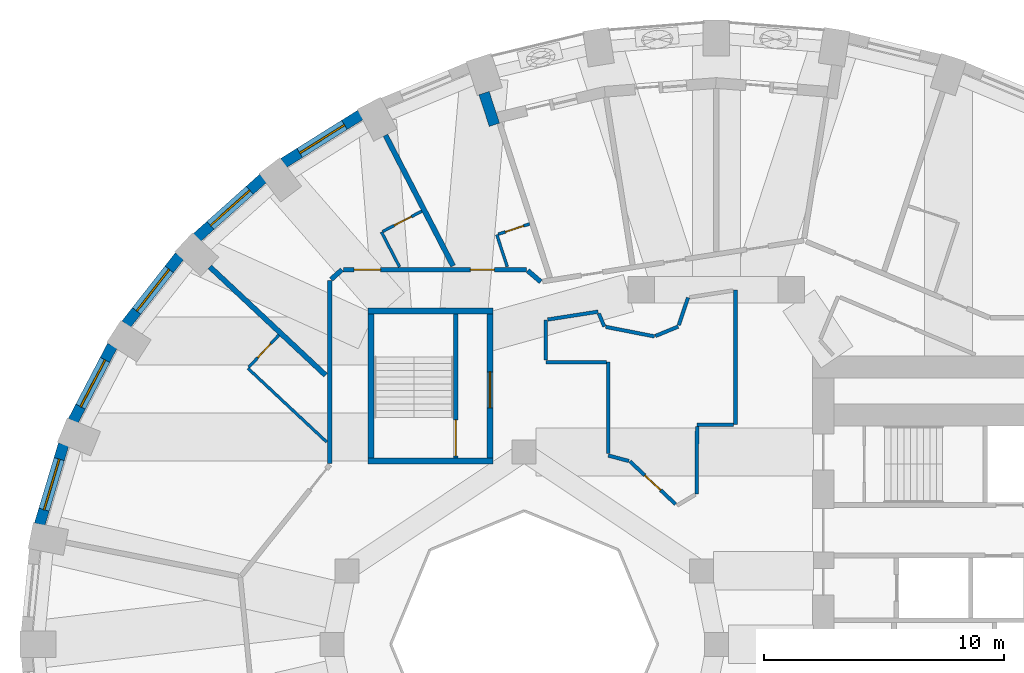
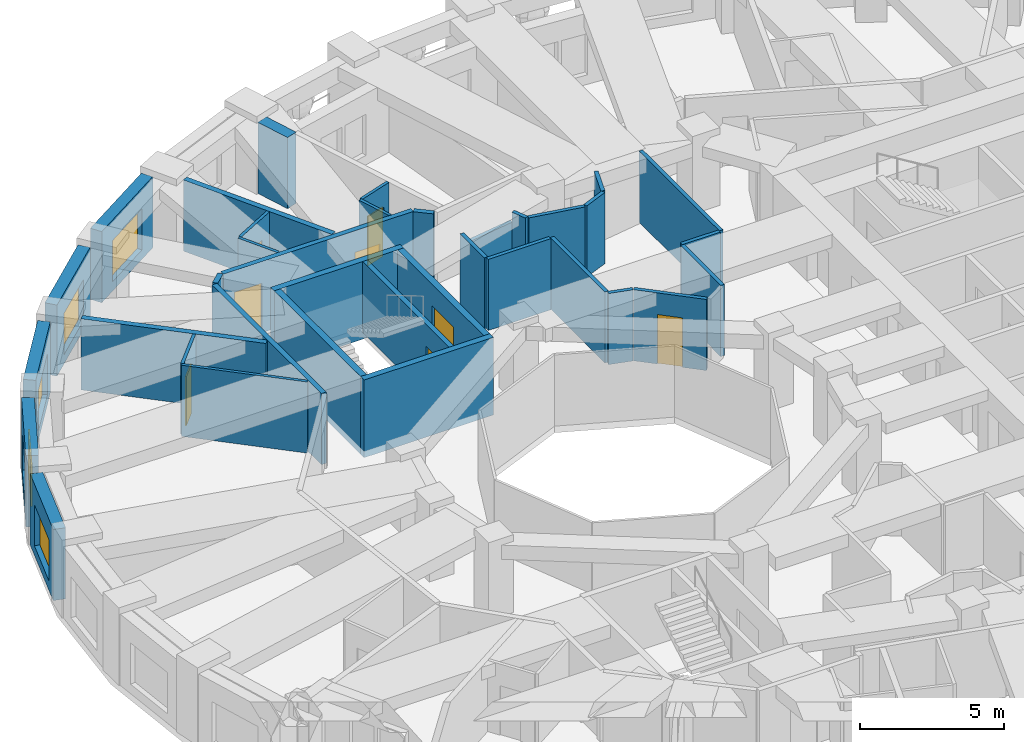
# One storey, part 7 of 13: 36 walls, 8 doors, 5 windows, 13 openings.
"""IFC4 building model written with IfcOpenShell, lengths in metres."""

import ifcopenshell
import ifcopenshell.guid

model = None  # the IFC model being written
_history = None  # IfcOwnerHistory: only IFC2X3 demands one
_inside = {}  # id of a spatial element -> (the spatial element, [elements in it])
_under = {}  # id of a project, library or spatial element -> (it, [spatial elements below it])
_declared = {}  # id of a project -> (the project, [libraries it declares])
_typed = {}  # id of a type object -> (the type object, [elements of that type])
_made_of = {}  # id of a material, layer set ... -> (it, [elements and type objects made of it])


def new_model(schema):
    """Start an empty IFC model of exactly this schema.

    Asked for "IFC4X3", IfcOpenShell would pick the latest addendum, in which some entities
    have other attributes; the version numbers below select the first issue.
    IFC2X3 requires an IfcOwnerHistory on every rooted entity: one is made here for all.
    """
    global model, _history
    if schema == "IFC4X3":
        model = ifcopenshell.file(schema_version=(4, 3, 0, 0))
    else:
        model = ifcopenshell.file(schema=schema)
    _inside.clear()
    _under.clear()
    _declared.clear()
    _typed.clear()
    _made_of.clear()
    _history = None
    if model.schema == "IFC2X3":
        org = make("IfcOrganization", Name="unknown")
        user = make(
            "IfcPersonAndOrganization",
            ThePerson=make("IfcPerson", FamilyName="unknown"),
            TheOrganization=org,
        )
        app = make(
            "IfcApplication",
            ApplicationDeveloper=org,
            Version="unknown",
            ApplicationFullName="unknown",
            ApplicationIdentifier="unknown",
        )
        _history = make(
            "IfcOwnerHistory",
            OwningUser=user,
            OwningApplication=app,
            ChangeAction="ADDED",
            CreationDate=0,
        )
    return model


def make(cls, **values):
    """One entity of the class cls with the attributes given. An attribute that is None is left unset."""
    return model.create_entity(
        cls, **{name: value for name, value in values.items() if value is not None}
    )


def rooted(cls, **values):
    """An entity with a GlobalId (a new one), such as an element, a storey or a relation."""
    return make(cls, GlobalId=ifcopenshell.guid.new(), OwnerHistory=_history, **values)


def si_unit(unit_type, name, prefix=None):
    """IfcSIUnit, for example si_unit("LENGTHUNIT", "METRE", prefix="MILLI")."""
    return make("IfcSIUnit", UnitType=unit_type, Prefix=prefix, Name=name)


def assignment(units):
    """IfcUnitAssignment: the units of a project."""
    return None if units is None else make("IfcUnitAssignment", Units=units)


def point(xyz):
    """IfcCartesianPoint."""
    return None if xyz is None else make("IfcCartesianPoint", Coordinates=xyz)


def direction(xyz):
    """IfcDirection."""
    return None if xyz is None else make("IfcDirection", DirectionRatios=xyz)


def frame(location, z_axis=None, x_axis=None):
    """IfcAxis2Placement3D, a coordinate frame: its origin and axes. An axis left out is left unset."""
    return make(
        "IfcAxis2Placement3D",
        Location=point(location),
        Axis=direction(z_axis),
        RefDirection=direction(x_axis),
    )


def frame_2d(location, x_axis=None):
    """IfcAxis2Placement2D, a coordinate frame in the plane: its origin and x axis."""
    return make(
        "IfcAxis2Placement2D", Location=point(location), RefDirection=direction(x_axis)
    )


def origin():
    """The frame at (0, 0, 0) with its axes left unset."""
    return frame((0.0, 0.0, 0.0))


def place(relative_to, where):
    """IfcLocalPlacement: puts the frame where relative to a parent placement (None: the world)."""
    return make(
        "IfcLocalPlacement", PlacementRelTo=relative_to, RelativePlacement=where
    )


def context(
    kind, dimensions, precision=None, world=None, true_north=None, identifier=None
):
    """IfcGeometricRepresentationContext, for example the 3D "Model" context."""
    return make(
        "IfcGeometricRepresentationContext",
        ContextIdentifier=identifier,
        ContextType=kind,
        CoordinateSpaceDimension=dimensions,
        Precision=precision,
        WorldCoordinateSystem=world,
        TrueNorth=true_north,
    )


def subcontext(parent, identifier, kind, view, scale=None):
    """IfcGeometricRepresentationSubContext, for example "Body" below "Model"."""
    return make(
        "IfcGeometricRepresentationSubContext",
        ContextIdentifier=identifier,
        ContextType=kind,
        ParentContext=parent,
        TargetScale=scale,
        TargetView=view,
    )


def project(units=None, contexts=None):
    """IfcProject with its units and contexts."""
    return rooted(
        "IfcProject",
        Name="project",
        RepresentationContexts=contexts,
        UnitsInContext=assignment(units),
    )


def spatial(cls, under=None, at=None, **own):
    """A site, building, storey or space (cls), placed at a placement, below another one or the project."""
    s = rooted(cls, ObjectPlacement=at, **own)
    if under is not None:
        _under.setdefault(under.id(), (under, []))[1].append(s)
    return s


def profile(cls, at=None, kind="AREA", **sizes):
    """A parametric profile (cls). Its sizes go by their IFC names, for example OverallWidth=200.0."""
    return make(cls, ProfileType=kind, Position=at, **sizes)


def rectangle(**sizes):
    """IfcRectangleProfileDef."""
    return profile("IfcRectangleProfileDef", **sizes)


def extrude(swept, where, along, depth):
    """IfcExtrudedAreaSolid: the profile swept, set in the frame where, extruded along a direction by depth."""
    return make(
        "IfcExtrudedAreaSolid",
        SweptArea=swept,
        Position=where,
        ExtrudedDirection=direction(along),
        Depth=depth,
    )


def shape(context_of_items, identifier, shape_type, items):
    """IfcShapeRepresentation: the items that make up one representation, for example the "Body"."""
    return make(
        "IfcShapeRepresentation",
        ContextOfItems=context_of_items,
        RepresentationIdentifier=identifier,
        RepresentationType=shape_type,
        Items=items,
    )


def material(Name=None, Category=None):
    """IfcMaterial."""
    return make("IfcMaterial", Name=Name, Category=Category)


def layer(
    of_material, thickness, ventilated=None, Name=None, Category=None, Priority=None
):
    """IfcMaterialLayer: one layer of a wall or slab, of a material (None: an air gap)."""
    return make(
        "IfcMaterialLayer",
        Material=of_material,
        LayerThickness=thickness,
        IsVentilated=ventilated,
        Name=Name,
        Category=Category,
        Priority=Priority,
    )


def layer_set(layers, Name=None):
    """IfcMaterialLayerSet."""
    return make("IfcMaterialLayerSet", MaterialLayers=layers, LayerSetName=Name)


def made_of(thing, what):
    """Note that an element or type object is made of a material, layer set ...; save() writes the relation."""
    if what is not None:
        _made_of.setdefault(what.id(), (what, []))[1].append(thing)
    return thing


def type_object(cls, material=None, **own):
    """A type object (cls), such as IfcWallType, which elements share."""
    return made_of(rooted(cls, **own), material)


def element(
    cls,
    number,
    at=None,
    inside=None,
    cuts=None,
    type_object=None,
    material=None,
    context=None,
    identifier="Body",
    shape_type=None,
    held_by="IfcProductDefinitionShape",
    body=None,
    shapes=None,
    **own,
):
    """One element of the class cls, such as IfcWall. Its Tag is "e" and its number.

    at: its placement. inside: the storey or other place that contains it. cuts: it is an
    opening in that element (IfcRelVoidsElement). A single representation is given by context,
    identifier, shape_type and body (its items); several are given by shapes. held_by: the class
    of the entity that holds the representations. save() writes the other relations.
    """
    e = rooted(cls, Tag="e%d" % number, ObjectPlacement=at, **own)
    if body is not None:
        shapes = [shape(context, identifier, shape_type, body)]
    if shapes is not None:
        e.Representation = make(held_by, Representations=shapes)
    if inside is not None:
        _inside.setdefault(inside.id(), (inside, []))[1].append(e)
    if cuts is not None:
        rooted(
            "IfcRelVoidsElement", RelatingBuildingElement=cuts, RelatedOpeningElement=e
        )
    if type_object is not None:
        _typed.setdefault(type_object.id(), (type_object, []))[1].append(e)
    return made_of(e, material)


def fill(opening, filler):
    """IfcRelFillsElement: the door or window that sits in an opening."""
    return rooted(
        "IfcRelFillsElement",
        RelatingOpeningElement=opening,
        RelatedBuildingElement=filler,
    )


def aggregate(whole, parts):
    """IfcRelAggregates: a whole, such as a stair, and the parts it consists of."""
    return rooted("IfcRelAggregates", RelatingObject=whole, RelatedObjects=parts)


def save(model, path):
    """Write the relations noted so far, then the file.

    IfcRelAggregates (storeys below a building ...), IfcRelContainedInSpatialStructure (elements
    in a storey), IfcRelDefinesByType, IfcRelAssociatesMaterial and IfcRelDeclares: one each for
    every whole, place, type object, material and project.
    """
    for whole, parts in _under.values():
        aggregate(whole, parts)
    for where, things in _inside.values():
        rooted(
            "IfcRelContainedInSpatialStructure",
            RelatedElements=things,
            RelatingStructure=where,
        )
    for kind, things in _typed.values():
        rooted("IfcRelDefinesByType", RelatedObjects=things, RelatingType=kind)
    for what, things in _made_of.values():
        rooted("IfcRelAssociatesMaterial", RelatedObjects=things, RelatingMaterial=what)
    for by, libraries in _declared.values():
        rooted("IfcRelDeclares", RelatingContext=by, RelatedDefinitions=libraries)
    model.write(path)


model = new_model("IFC4")

# Units and contexts
model_context = context("Model", 3, precision=1e-05, world=origin(), true_north=direction((0.0, 1.0)))
body_context = subcontext(model_context, "Body", "Model", "MODEL_VIEW")
ifc_project = project(units=[si_unit("LENGTHUNIT", "METRE"), si_unit("AREAUNIT", "SQUARE_METRE"), si_unit("VOLUMEUNIT", "CUBIC_METRE"), si_unit("PLANEANGLEUNIT", "RADIAN"), si_unit("MASSUNIT", "GRAM", prefix="KILO")], contexts=[model_context])

# Site, building, storey
site_placement = place(None, origin())
site = spatial("IfcSite", under=ifc_project, at=site_placement, CompositionType="ELEMENT")
building_placement = place(site_placement, origin())
building = spatial("IfcBuilding", under=site, at=building_placement, Name="Taillehof Tower", CompositionType="ELEMENT")
storey_placement = place(building_placement, frame((0.0, 0.0, 54.699951171875)))
storey = spatial("IfcBuildingStorey", under=building, at=storey_placement, Name="L14", CompositionType="ELEMENT", Elevation=54.699951171875)

# Wall, opening, window
ifc_material_1 = material(Name="Brick masonry", Category="masonry")
ifc_layer_1 = layer(ifc_material_1, 0.449951171875)
ifc_layer_set_1 = layer_set([ifc_layer_1], Name="Brick infill wall 450")
wall_type_1 = type_object("IfcWallType", Name="Brick infill wall 450", PredefinedType="SOLIDWALL", material=ifc_layer_set_1)
wall_1_placement = place(storey_placement, frame((-14.81689453125, 22.050537109375, 0.0), z_axis=(0.0, 0.0, 1.0), x_axis=(-0.847635480093, -0.530579016629, 0.0)))
wall_1 = element("IfcWall", 1, at=wall_1_placement, inside=storey, type_object=wall_type_1, Name="Brick wall L14 bay 13", PredefinedType="SOLIDWALL", context=body_context, shape_type="SweptSolid", body=[
    extrude(rectangle(XDim=3.782470703125, YDim=0.449951171875, at=frame_2d((1.89111328125, 0.0))), origin(), (0.0, 0.0, 1.0), 3.02001953125),
])
opening_1_placement = place(wall_1_placement, frame((0.791259765625, 0.0, 0.39990234375)))
opening_1 = element("IfcOpeningElement", 2, at=opening_1_placement, cuts=wall_1, Name="Opening W1", PredefinedType="OPENING", context=body_context, shape_type="SweptSolid", body=[
    extrude(rectangle(XDim=2.199951171875, YDim=1.75, at=frame_2d((1.10009765625, 0.875))), frame((0.0, 0.23486328125, 0.0), z_axis=(0.0, -1.0, 0.0), x_axis=(1.0, 0.0, 0.0)), (0.0, 0.0, 1.0), 0.469970703125),
])
ifc_material_2 = material(Name="Aluminium window frame with clear double glazing", Category="aluminium")
window_type = type_object("IfcWindowType", Name="Deep-set window 2200x1750", PartitioningType="SINGLE_PANEL", PredefinedType="WINDOW", material=ifc_material_2)
window_1_placement = place(opening_1_placement, origin())
window_1 = element("IfcWindow", 3, at=window_1_placement, inside=storey, type_object=window_type, Name="W1", OverallHeight=1.75, OverallWidth=2.199951171875, PartitioningType="SINGLE_PANEL", PredefinedType="WINDOW", context=body_context, shape_type="SweptSolid", body=[
    extrude(rectangle(XDim=2.199951171875, YDim=1.75, at=frame_2d((1.10009765625, 0.875))), frame((0.0, 0.034912109375, 0.0), z_axis=(0.0, -1.0, 0.0), x_axis=(1.0, 0.0, 0.0)), (0.0, 0.0, 1.0), 0.06005859375),
])
fill(opening_1, window_1)

wall_2_placement = place(storey_placement, frame((-18.87060546875, 19.406982421875, 0.0), z_axis=(0.0, 0.0, 1.0), x_axis=(-0.745526233716, -0.66647628228, 0.0)))
wall_2 = element("IfcWall", 4, at=wall_2_placement, inside=storey, type_object=wall_type_1, Name="Brick wall L14 bay 14", PredefinedType="SOLIDWALL", context=body_context, shape_type="SweptSolid", body=[
    extrude(rectangle(XDim=3.69677734375, YDim=0.449951171875, at=frame_2d((1.848388671875, 0.0))), origin(), (0.0, 0.0, 1.0), 3.02001953125),
])
opening_2_placement = place(wall_2_placement, frame((0.74853515625, 0.0, 0.39990234375)))
opening_2 = element("IfcOpeningElement", 5, at=opening_2_placement, cuts=wall_2, Name="Opening W1", PredefinedType="OPENING", context=body_context, shape_type="SweptSolid", body=[
    extrude(rectangle(XDim=2.199951171875, YDim=1.75, at=frame_2d((1.10009765625, 0.875))), frame((0.0, 0.23486328125, 0.0), z_axis=(0.0, -1.0, 0.0), x_axis=(1.0, 0.0, 0.0)), (0.0, 0.0, 1.0), 0.469970703125),
])
window_2_placement = place(opening_2_placement, origin())
window_2 = element("IfcWindow", 6, at=window_2_placement, inside=storey, type_object=window_type, Name="W1", OverallHeight=1.75, OverallWidth=2.199951171875, PartitioningType="SINGLE_PANEL", PredefinedType="WINDOW", context=body_context, shape_type="SweptSolid", body=[
    extrude(rectangle(XDim=2.199951171875, YDim=1.75, at=frame_2d((1.10009765625, 0.875))), frame((0.0, 0.034912109375, 0.0), z_axis=(0.0, -1.0, 0.0), x_axis=(1.0, 0.0, 0.0)), (0.0, 0.0, 1.0), 0.06005859375),
])
fill(opening_2, window_2)

wall_3_placement = place(storey_placement, frame((-22.3515625, 16.169677734375, 0.0), z_axis=(0.0, 0.0, 1.0), x_axis=(-0.616661975264, -0.787228053529, 0.0)))
wall_3 = element("IfcWall", 7, at=wall_3_placement, inside=storey, type_object=wall_type_1, Name="Brick wall L14 bay 15", PredefinedType="SOLIDWALL", context=body_context, shape_type="SweptSolid", body=[
    extrude(rectangle(XDim=3.60986328125, YDim=0.449951171875, at=frame_2d((1.804931640625, 0.0))), origin(), (0.0, 0.0, 1.0), 3.02001953125),
])
opening_3_placement = place(wall_3_placement, frame((0.704833984375, 0.0, 0.39990234375)))
opening_3 = element("IfcOpeningElement", 8, at=opening_3_placement, cuts=wall_3, Name="Opening W1", PredefinedType="OPENING", context=body_context, shape_type="SweptSolid", body=[
    extrude(rectangle(XDim=2.199951171875, YDim=1.75, at=frame_2d((1.10009765625, 0.875))), frame((0.0, 0.23486328125, 0.0), z_axis=(0.0, -1.0, 0.0), x_axis=(1.0, 0.0, 0.0)), (0.0, 0.0, 1.0), 0.469970703125),
])
window_3_placement = place(opening_3_placement, origin())
window_3 = element("IfcWindow", 9, at=window_3_placement, inside=storey, type_object=window_type, Name="W1", OverallHeight=1.75, OverallWidth=2.199951171875, PartitioningType="SINGLE_PANEL", PredefinedType="WINDOW", context=body_context, shape_type="SweptSolid", body=[
    extrude(rectangle(XDim=2.199951171875, YDim=1.75, at=frame_2d((1.10009765625, 0.875))), frame((0.0, 0.034912109375, 0.0), z_axis=(0.0, -1.0, 0.0), x_axis=(1.0, 0.0, 0.0)), (0.0, 0.0, 1.0), 0.06005859375),
])
fill(opening_3, window_3)

wall_4_placement = place(storey_placement, frame((-25.152099609375, 12.436767578125, 0.0), z_axis=(0.0, 0.0, 1.0), x_axis=(-0.462492775226, -0.886623050041, 0.0)))
wall_4 = element("IfcWall", 10, at=wall_4_placement, inside=storey, type_object=wall_type_1, Name="Brick wall L14 bay 16", PredefinedType="SOLIDWALL", context=body_context, shape_type="SweptSolid", body=[
    extrude(rectangle(XDim=3.531982421875, YDim=0.449951171875, at=frame_2d((1.76611328125, 0.0))), origin(), (0.0, 0.0, 1.0), 3.02001953125),
])
opening_4_placement = place(wall_4_placement, frame((0.666015625, 0.0, 0.39990234375)))
opening_4 = element("IfcOpeningElement", 11, at=opening_4_placement, cuts=wall_4, Name="Opening W1", PredefinedType="OPENING", context=body_context, shape_type="SweptSolid", body=[
    extrude(rectangle(XDim=2.199951171875, YDim=1.75, at=frame_2d((1.10009765625, 0.875))), frame((0.0, 0.23486328125, 0.0), z_axis=(0.0, -1.0, 0.0), x_axis=(1.0, 0.0, 0.0)), (0.0, 0.0, 1.0), 0.469970703125),
])
window_4_placement = place(opening_4_placement, origin())
window_4 = element("IfcWindow", 12, at=window_4_placement, inside=storey, type_object=window_type, Name="W1", OverallHeight=1.75, OverallWidth=2.199951171875, PartitioningType="SINGLE_PANEL", PredefinedType="WINDOW", context=body_context, shape_type="SweptSolid", body=[
    extrude(rectangle(XDim=2.199951171875, YDim=1.75, at=frame_2d((1.10009765625, 0.875))), frame((0.0, 0.034912109375, 0.0), z_axis=(0.0, -1.0, 0.0), x_axis=(1.0, 0.0, 0.0)), (0.0, 0.0, 1.0), 0.06005859375),
])
fill(opening_4, window_4)

wall_5_placement = place(storey_placement, frame((-27.184814453125, 8.322998046875, 0.0), z_axis=(0.0, 0.0, 1.0), x_axis=(-0.287064133733, -0.957911364963, 0.0)))
wall_5 = element("IfcWall", 13, at=wall_5_placement, inside=storey, type_object=wall_type_1, Name="Brick wall L14 bay 17", PredefinedType="SOLIDWALL", context=body_context, shape_type="SweptSolid", body=[
    extrude(rectangle(XDim=3.473388671875, YDim=0.449951171875, at=frame_2d((1.73681640625, 0.0))), origin(), (0.0, 0.0, 1.0), 3.02001953125),
])
opening_5_placement = place(wall_5_placement, frame((0.63671875, 0.0, 0.39990234375)))
opening_5 = element("IfcOpeningElement", 14, at=opening_5_placement, cuts=wall_5, Name="Opening W1", PredefinedType="OPENING", context=body_context, shape_type="SweptSolid", body=[
    extrude(rectangle(XDim=2.199951171875, YDim=1.75, at=frame_2d((1.10009765625, 0.875))), frame((0.0, 0.23486328125, 0.0), z_axis=(0.0, -1.0, 0.0), x_axis=(1.0, 0.0, 0.0)), (0.0, 0.0, 1.0), 0.469970703125),
])
window_5_placement = place(opening_5_placement, origin())
window_5 = element("IfcWindow", 15, at=window_5_placement, inside=storey, type_object=window_type, Name="W1", OverallHeight=1.75, OverallWidth=2.199951171875, PartitioningType="SINGLE_PANEL", PredefinedType="WINDOW", context=body_context, shape_type="SweptSolid", body=[
    extrude(rectangle(XDim=2.199951171875, YDim=1.75, at=frame_2d((1.10009765625, 0.875))), frame((0.0, 0.034912109375, 0.0), z_axis=(0.0, -1.0, 0.0), x_axis=(1.0, 0.0, 0.0)), (0.0, 0.0, 1.0), 0.06005859375),
])
fill(opening_5, window_5)

# Walls
wall_6_placement = place(storey_placement, frame((-9.673583984375, 22.95556640625, 0.0), z_axis=(0.0, 0.0, 1.0), x_axis=(0.310269011655, -0.950648799719, 0.0)))
element("IfcWall", 16, at=wall_6_placement, inside=storey, type_object=wall_type_1, Name="Brick reveal L14 pocket 2", PredefinedType="SOLIDWALL", context=body_context, shape_type="SweptSolid", body=[
    extrude(rectangle(XDim=1.390380859375, YDim=0.449951171875, at=frame_2d((0.6953125, 0.0))), origin(), (0.0, 0.0, 1.0), 3.02001953125),
])
ifc_material_3 = material(Name="Gypsum board on steel studs, two layers each side", Category="steel")
ifc_layer_2 = layer(ifc_material_3, 0.199951171875)
ifc_layer_set_2 = layer_set([ifc_layer_2], Name="Compartment wall corridor 200")
wall_type_2 = type_object("IfcWallType", Name="Compartment wall corridor 200", PredefinedType="PARTITIONING", material=ifc_layer_set_2)
wall_7_placement = place(storey_placement, frame((-16.10009765625, 7.53271484375, 0.0), z_axis=(0.0, 0.0, 1.0), x_axis=(0.0, 1.0, 0.0)))
element("IfcWall", 17, at=wall_7_placement, inside=storey, type_object=wall_type_2, Name="Compartment wall", PredefinedType="PARTITIONING", context=body_context, shape_type="SweptSolid", body=[
    extrude(rectangle(XDim=7.611328125, YDim=0.199951171875, at=frame_2d((3.8056640625, 0.0))), origin(), (0.0, 0.0, 1.0), 3.02001953125),
])
wall_8_placement = place(storey_placement, frame((-16.04052734375, 15.19775390625, 0.0), z_axis=(0.0, 0.0, 1.0), x_axis=(0.744722115519, 0.667374685359, 0.0)))
element("IfcWall", 18, at=wall_8_placement, inside=storey, type_object=wall_type_2, Name="Compartment wall", PredefinedType="PARTITIONING", context=body_context, shape_type="SweptSolid", body=[
    extrude(rectangle(XDim=0.602783203125, YDim=0.199951171875, at=frame_2d((0.30126953125, 0.0))), origin(), (0.0, 0.0, 1.0), 3.02001953125),
])

# Wall, openings, doors
wall_9_placement = place(storey_placement, frame((-15.531494140625, 15.60009765625, 0.0), z_axis=(0.0, 0.0, 1.0), x_axis=(1.0, 0.0, 0.0)))
wall_9 = element("IfcWall", 19, at=wall_9_placement, inside=storey, type_object=wall_type_2, Name="Compartment wall", PredefinedType="PARTITIONING", context=body_context, shape_type="SweptSolid", body=[
    extrude(rectangle(XDim=7.631591796875, YDim=0.199951171875, at=frame_2d((3.81591796875, 0.0))), origin(), (0.0, 0.0, 1.0), 3.02001953125),
])
opening_6_placement = place(wall_9_placement, frame((5.283447265625, 0.0, 0.0)))
opening_6 = element("IfcOpeningElement", 20, at=opening_6_placement, cuts=wall_9, Name="Opening D1446", PredefinedType="OPENING", context=body_context, shape_type="SweptSolid", body=[
    extrude(rectangle(XDim=1.0, YDim=2.10009765625, at=frame_2d((0.5, 1.050048828125))), frame((0.0, 0.10986328125, 0.0), z_axis=(0.0, -1.0, 0.0), x_axis=(1.0, 0.0, 0.0)), (0.0, 0.0, 1.0), 0.219970703125),
])
opening_7_placement = place(wall_9_placement, frame((0.451416015625, 0.0, 0.0)))
opening_7 = element("IfcOpeningElement", 21, at=opening_7_placement, cuts=wall_9, Name="Opening D1448", PredefinedType="OPENING", context=body_context, shape_type="SweptSolid", body=[
    extrude(rectangle(XDim=1.10009765625, YDim=2.10009765625, at=frame_2d((0.550048828125, 1.050048828125))), frame((0.0, 0.10986328125, 0.0), z_axis=(0.0, -1.0, 0.0), x_axis=(1.0, 0.0, 0.0)), (0.0, 0.0, 1.0), 0.219970703125),
])
ifc_material_4 = material(Name="Timber door leaf in steel frame", Category="steel")
door_type_1 = type_object("IfcDoorType", Name="Guest room door EI 30 1000 x 2100", OperationType="SINGLE_SWING_LEFT", PredefinedType="DOOR", material=ifc_material_4)
door_1_placement = place(opening_6_placement, origin())
door_1 = element("IfcDoor", 22, at=door_1_placement, inside=storey, type_object=door_type_1, Name="D1446", OperationType="SINGLE_SWING_RIGHT", OverallHeight=2.10009765625, OverallWidth=1.0, PredefinedType="DOOR", context=body_context, shape_type="SweptSolid", body=[
    extrude(rectangle(XDim=1.0, YDim=2.10009765625, at=frame_2d((0.5, 1.050048828125))), frame((0.0, 0.02490234375, 0.0), z_axis=(0.0, -1.0, 0.0), x_axis=(1.0, 0.0, 0.0)), (0.0, 0.0, 1.0), 0.050048828125),
])
fill(opening_6, door_1)
ifc_material_5 = material(Name="Timber door leaf in steel frame", Category="steel")
door_type_2 = type_object("IfcDoorType", Name="Suite entrance door EI 30 1100 x 2100", OperationType="SINGLE_SWING_LEFT", PredefinedType="DOOR", material=ifc_material_5)
door_2_placement = place(opening_7_placement, origin())
door_2 = element("IfcDoor", 23, at=door_2_placement, inside=storey, type_object=door_type_2, Name="D1448", OperationType="SINGLE_SWING_RIGHT", OverallHeight=2.10009765625, OverallWidth=1.10009765625, PredefinedType="DOOR", context=body_context, shape_type="SweptSolid", body=[
    extrude(rectangle(XDim=1.10009765625, YDim=2.10009765625, at=frame_2d((0.550048828125, 1.050048828125))), frame((0.0, 0.02490234375, 0.0), z_axis=(0.0, -1.0, 0.0), x_axis=(1.0, 0.0, 0.0)), (0.0, 0.0, 1.0), 0.050048828125),
])
fill(opening_7, door_2)

# Walls
wall_10_placement = place(storey_placement, frame((-7.8544921875, 15.561279296875, 0.0), z_axis=(0.0, 0.0, 1.0), x_axis=(0.759763914627, -0.650199041856, 0.0)))
element("IfcWall", 24, at=wall_10_placement, inside=storey, type_object=wall_type_2, Name="Compartment wall", PredefinedType="PARTITIONING", context=body_context, shape_type="SweptSolid", body=[
    extrude(rectangle(XDim=0.713134765625, YDim=0.199951171875, at=frame_2d((0.3564453125, 0.0))), origin(), (0.0, 0.0, 1.0), 3.02001953125),
])
ifc_material_6 = material(Name="Gypsum board on double steel studs with mineral wool", Category="steel")
ifc_layer_3 = layer(ifc_material_6, 0.219970703125)
ifc_layer_set_3 = layer_set([ifc_layer_3], Name="Compartment wall guest room 220")
wall_type_3 = type_object("IfcWallType", Name="Compartment wall guest room 220", PredefinedType="PARTITIONING", material=ifc_layer_set_3)
wall_11_placement = place(storey_placement, frame((-13.7802734375, 21.201171875, 0.0), z_axis=(0.0, 0.0, 1.0), x_axis=(0.459699000582, -0.888074787878, 0.0)))
element("IfcWall", 25, at=wall_11_placement, inside=storey, type_object=wall_type_3, Name="Compartment wall", PredefinedType="PARTITIONING", context=body_context, shape_type="SweptSolid", body=[
    extrude(rectangle(XDim=6.134033203125, YDim=0.219970703125, at=frame_2d((3.06689453125, 0.0))), origin(), (0.0, 0.0, 1.0), 3.02001953125),
])
wall_12_placement = place(storey_placement, frame((-21.09326171875, 15.7177734375, 0.0), z_axis=(0.0, 0.0, 1.0), x_axis=(0.73009284205, -0.683347965525, 0.0)))
element("IfcWall", 26, at=wall_12_placement, inside=storey, type_object=wall_type_3, Name="Compartment wall", PredefinedType="PARTITIONING", context=body_context, shape_type="SweptSolid", body=[
    extrude(rectangle(XDim=6.6015625, YDim=0.219970703125, at=frame_2d((3.30078125, 0.0))), origin(), (0.0, 0.0, 1.0), 3.02001953125),
])
ifc_material_7 = material(Name="Gypsum board on steel studs, two layers each side", Category="steel")
ifc_layer_4 = layer(ifc_material_7, 0.14990234375)
ifc_layer_set_4 = layer_set([ifc_layer_4], Name="Compartment wall service room 150")
wall_type_4 = type_object("IfcWallType", Name="Compartment wall service room 150", PredefinedType="PARTITIONING", material=ifc_layer_set_4)
wall_13_placement = place(storey_placement, frame((0.800048828125, 14.748779296875, 0.0), z_axis=(0.0, 0.0, 1.0), x_axis=(0.0, -1.0, 0.0)))
element("IfcWall", 27, at=wall_13_placement, inside=storey, type_object=wall_type_4, Name="Compartment wall", PredefinedType="PARTITIONING", context=body_context, shape_type="SweptSolid", body=[
    extrude(rectangle(XDim=5.598876953125, YDim=0.14990234375, at=frame_2d((2.79931640625, 0.0))), origin(), (0.0, 0.0, 1.0), 3.02001953125),
])
wall_14_placement = place(storey_placement, frame((0.719970703125, 9.14990234375, 0.0), z_axis=(0.0, 0.0, 1.0), x_axis=(-1.0, 0.0, 0.0)))
element("IfcWall", 28, at=wall_14_placement, inside=storey, type_object=wall_type_4, Name="Compartment wall", PredefinedType="PARTITIONING", context=body_context, shape_type="SweptSolid", body=[
    extrude(rectangle(XDim=1.52001953125, YDim=0.14990234375, at=frame_2d((0.760009765625, 0.0))), origin(), (0.0, 0.0, 1.0), 3.02001953125),
])
wall_15_placement = place(storey_placement, frame((-0.801025390625, 9.06982421875, 0.0), z_axis=(0.0, 0.0, 1.0), x_axis=(-0.007572902619, -0.999971325162, 0.0)))
element("IfcWall", 29, at=wall_15_placement, inside=storey, type_object=wall_type_4, Name="Compartment wall", PredefinedType="PARTITIONING", context=body_context, shape_type="SweptSolid", body=[
    extrude(rectangle(XDim=2.8046875, YDim=0.14990234375, at=frame_2d((1.40234375, 0.0))), origin(), (0.0, 0.0, 1.0), 3.02001953125),
])

# Wall, opening, door
wall_16_placement = place(storey_placement, frame((-1.6943359375, 5.832275390625, 0.0), z_axis=(0.0, 0.0, 1.0), x_axis=(-0.729170056034, 0.684332542981, 0.0)))
wall_16 = element("IfcWall", 30, at=wall_16_placement, inside=storey, type_object=wall_type_4, Name="Compartment wall", PredefinedType="PARTITIONING", context=body_context, shape_type="SweptSolid", body=[
    extrude(rectangle(XDim=2.613525390625, YDim=0.14990234375, at=frame_2d((1.306640625, 0.0))), origin(), (0.0, 0.0, 1.0), 3.02001953125),
])
opening_8_placement = place(wall_16_placement, frame((0.856689453125, 0.0, 0.0)))
opening_8 = element("IfcOpeningElement", 31, at=opening_8_placement, cuts=wall_16, Name="Opening D1468", PredefinedType="OPENING", context=body_context, shape_type="SweptSolid", body=[
    extrude(rectangle(XDim=0.89990234375, YDim=2.10009765625, at=frame_2d((0.449951171875, 1.050048828125))), frame((0.0, 0.0849609375, 0.0), z_axis=(0.0, -1.0, 0.0), x_axis=(1.0, 0.0, 0.0)), (0.0, 0.0, 1.0), 0.169921875),
])
ifc_material_8 = material(Name="Timber door leaf in steel frame", Category="steel")
door_type_3 = type_object("IfcDoorType", Name="Service room door EI 30 900 x 2100", OperationType="SINGLE_SWING_LEFT", PredefinedType="DOOR", material=ifc_material_8)
door_3_placement = place(opening_8_placement, origin())
door_3 = element("IfcDoor", 32, at=door_3_placement, inside=storey, type_object=door_type_3, Name="D1468", OperationType="SINGLE_SWING_RIGHT", OverallHeight=2.10009765625, OverallWidth=0.89990234375, PredefinedType="DOOR", context=body_context, shape_type="SweptSolid", body=[
    extrude(rectangle(XDim=0.89990234375, YDim=2.10009765625, at=frame_2d((0.449951171875, 1.050048828125))), frame((0.0, 0.02490234375, 0.0), z_axis=(0.0, -1.0, 0.0), x_axis=(1.0, 0.0, 0.0)), (0.0, 0.0, 1.0), 0.050048828125),
])
fill(opening_8, door_3)

# Walls
wall_17_placement = place(storey_placement, frame((-3.638671875, 7.631103515625, 0.0), z_axis=(0.0, 0.0, 1.0), x_axis=(-0.965879594242, 0.258991523853, 0.0)))
element("IfcWall", 33, at=wall_17_placement, inside=storey, type_object=wall_type_4, Name="Compartment wall", PredefinedType="PARTITIONING", context=body_context, shape_type="SweptSolid", body=[
    extrude(rectangle(XDim=0.891845703125, YDim=0.14990234375, at=frame_2d((0.44580078125, 0.0))), origin(), (0.0, 0.0, 1.0), 3.02001953125),
])
wall_18_placement = place(storey_placement, frame((-4.5, 7.942138671875, 0.0), z_axis=(0.0, 0.0, 1.0), x_axis=(0.0, 1.0, 0.0)))
element("IfcWall", 34, at=wall_18_placement, inside=storey, type_object=wall_type_4, Name="Compartment wall", PredefinedType="PARTITIONING", context=body_context, shape_type="SweptSolid", body=[
    extrude(rectangle(XDim=3.807861328125, YDim=0.14990234375, at=frame_2d((1.90380859375, 0.0))), origin(), (0.0, 0.0, 1.0), 3.02001953125),
])
wall_19_placement = place(storey_placement, frame((-4.580078125, 11.75, 0.0), z_axis=(0.0, 0.0, 1.0), x_axis=(-1.0, 0.0, 0.0)))
element("IfcWall", 35, at=wall_19_placement, inside=storey, type_object=wall_type_4, Name="Compartment wall", PredefinedType="PARTITIONING", context=body_context, shape_type="SweptSolid", body=[
    extrude(rectangle(XDim=2.52001953125, YDim=0.14990234375, at=frame_2d((1.260009765625, 0.0))), origin(), (0.0, 0.0, 1.0), 3.02001953125),
])
wall_20_placement = place(storey_placement, frame((-7.10009765625, 11.830078125, 0.0), z_axis=(0.0, 0.0, 1.0), x_axis=(0.0, 1.0, 0.0)))
element("IfcWall", 36, at=wall_20_placement, inside=storey, type_object=wall_type_4, Name="Compartment wall", PredefinedType="PARTITIONING", context=body_context, shape_type="SweptSolid", body=[
    extrude(rectangle(XDim=1.681396484375, YDim=0.14990234375, at=frame_2d((0.8408203125, 0.0))), origin(), (0.0, 0.0, 1.0), 3.02001953125),
])
wall_21_placement = place(storey_placement, frame((-7.02099609375, 13.524169921875, 0.0), z_axis=(0.0, 0.0, 1.0), x_axis=(0.987976394461, 0.154604799366, 0.0)))
element("IfcWall", 37, at=wall_21_placement, inside=storey, type_object=wall_type_4, Name="Compartment wall", PredefinedType="PARTITIONING", context=body_context, shape_type="SweptSolid", body=[
    extrude(rectangle(XDim=2.1240234375, YDim=0.14990234375, at=frame_2d((1.06201171875, 0.0))), origin(), (0.0, 0.0, 1.0), 2.570068359375),
])
wall_22_placement = place(storey_placement, frame((-4.892333984375, 13.7783203125, 0.0), z_axis=(0.0, 0.0, 1.0), x_axis=(0.383178293395, -0.923674399056, 0.0)))
element("IfcWall", 38, at=wall_22_placement, inside=storey, type_object=wall_type_4, Name="Compartment wall", PredefinedType="PARTITIONING", context=body_context, shape_type="SweptSolid", body=[
    extrude(rectangle(XDim=0.59130859375, YDim=0.14990234375, at=frame_2d((0.295654296875, 0.0))), origin(), (0.0, 0.0, 1.0), 3.02001953125),
])
wall_23_placement = place(storey_placement, frame((-4.607177734375, 13.220458984375, 0.0), z_axis=(0.0, 0.0, 1.0), x_axis=(0.981304142817, -0.192463449234, 0.0)))
element("IfcWall", 39, at=wall_23_placement, inside=storey, type_object=wall_type_4, Name="Compartment wall", PredefinedType="PARTITIONING", context=body_context, shape_type="SweptSolid", body=[
    extrude(rectangle(XDim=2.0703125, YDim=0.14990234375, at=frame_2d((1.03515625, 0.0))), origin(), (0.0, 0.0, 1.0), 3.02001953125),
])
wall_24_placement = place(storey_placement, frame((-2.53857421875, 12.837158203125, 0.0), z_axis=(0.0, 0.0, 1.0), x_axis=(0.923768662954, 0.382950985565, 0.0)))
element("IfcWall", 40, at=wall_24_placement, inside=storey, type_object=wall_type_4, Name="Compartment wall", PredefinedType="PARTITIONING", context=body_context, shape_type="SweptSolid", body=[
    extrude(rectangle(XDim=1.031494140625, YDim=0.14990234375, at=frame_2d((0.515625, 0.0))), origin(), (0.0, 0.0, 1.0), 3.02001953125),
])
wall_25_placement = place(storey_placement, frame((-1.566650390625, 13.289306640625, 0.0), z_axis=(0.0, 0.0, 1.0), x_axis=(0.321769415776, 0.946818062286, 0.0)))
element("IfcWall", 41, at=wall_25_placement, inside=storey, type_object=wall_type_4, Name="Compartment wall", PredefinedType="PARTITIONING", context=body_context, shape_type="SweptSolid", body=[
    extrude(rectangle(XDim=1.21484375, YDim=0.14990234375, at=frame_2d((0.607421875, 0.0))), origin(), (0.0, 0.0, 1.0), 3.02001953125),
])
ifc_material_9 = material(Name="Gypsum board on steel studs, moisture resistant", Category="steel")
ifc_layer_5 = layer(ifc_material_9, 0.1201171875)
ifc_layer_set_5 = layer_set([ifc_layer_5], Name="En-suite wall 120")
wall_type_5 = type_object("IfcWallType", Name="En-suite wall 120", PredefinedType="PARTITIONING", material=ifc_layer_set_5)
wall_26_placement = place(storey_placement, frame((-8.705810546875, 15.71923828125, 0.0), z_axis=(0.0, 0.0, 1.0), x_axis=(-0.310245242974, 0.950656556918, 0.0)))
element("IfcWall", 42, at=wall_26_placement, inside=storey, type_object=wall_type_5, Name="En-suite wall", PredefinedType="PARTITIONING", context=body_context, shape_type="SweptSolid", body=[
    extrude(rectangle(XDim=1.409423828125, YDim=0.1201171875, at=frame_2d((0.70458984375, 0.0))), origin(), (0.0, 0.0, 1.0), 3.02001953125),
])
wall_27_placement = place(storey_placement, frame((-13.194091796875, 15.718017578125, 0.0), z_axis=(0.0, 0.0, 1.0), x_axis=(-0.459736274936, 0.888055492359, 0.0)))
element("IfcWall", 43, at=wall_27_placement, inside=storey, type_object=wall_type_5, Name="En-suite wall", PredefinedType="PARTITIONING", context=body_context, shape_type="SweptSolid", body=[
    extrude(rectangle(XDim=1.6318359375, YDim=0.1201171875, at=frame_2d((0.81591796875, 0.0))), origin(), (0.0, 0.0, 1.0), 3.02001953125),
])
wall_28_placement = place(storey_placement, frame((-16.2294921875, 8.42626953125, 0.0), z_axis=(0.0, 0.0, 1.0), x_axis=(-0.730077325201, 0.683364543438, 0.0)))
element("IfcWall", 44, at=wall_28_placement, inside=storey, type_object=wall_type_5, Name="En-suite wall", PredefinedType="PARTITIONING", context=body_context, shape_type="SweptSolid", body=[
    extrude(rectangle(XDim=4.49462890625, YDim=0.1201171875, at=frame_2d((2.247314453125, 0.0))), origin(), (0.0, 0.0, 1.0), 3.02001953125),
])

# Wall, opening, door
wall_29_placement = place(storey_placement, frame((-9.0859375, 17.077392578125, 0.0), z_axis=(0.0, 0.0, 1.0), x_axis=(0.950576687533, 0.310489872812, 0.0)))
wall_29 = element("IfcWall", 45, at=wall_29_placement, inside=storey, type_object=wall_type_5, Name="En-suite wall", PredefinedType="PARTITIONING", context=body_context, shape_type="SweptSolid", body=[
    extrude(rectangle(XDim=1.3798828125, YDim=0.1201171875, at=frame_2d((0.68994140625, 0.0))), origin(), (0.0, 0.0, 1.0), 3.02001953125),
])
opening_9_placement = place(wall_29_placement, frame((0.31494140625, 0.0, 0.0)))
opening_9 = element("IfcOpeningElement", 46, at=opening_9_placement, cuts=wall_29, Name="Opening D1447", PredefinedType="OPENING", context=body_context, shape_type="SweptSolid", body=[
    extrude(rectangle(XDim=0.800048828125, YDim=2.10009765625, at=frame_2d((0.39990234375, 1.050048828125))), frame((0.0, 0.070068359375, 0.0), z_axis=(0.0, -1.0, 0.0), x_axis=(1.0, 0.0, 0.0)), (0.0, 0.0, 1.0), 0.14013671875),
])
ifc_material_10 = material(Name="Timber door leaf in steel frame", Category="steel")
door_type_4 = type_object("IfcDoorType", Name="En-suite door 800 x 2100", OperationType="SINGLE_SWING_LEFT", PredefinedType="DOOR", material=ifc_material_10)
door_4_placement = place(opening_9_placement, origin())
door_4 = element("IfcDoor", 47, at=door_4_placement, inside=storey, type_object=door_type_4, Name="D1447", OperationType="SINGLE_SWING_RIGHT", OverallHeight=2.10009765625, OverallWidth=0.800048828125, PredefinedType="DOOR", context=body_context, shape_type="SweptSolid", body=[
    extrude(rectangle(XDim=0.800048828125, YDim=2.10009765625, at=frame_2d((0.39990234375, 1.050048828125))), frame((0.0, 0.02490234375, 0.0), z_axis=(0.0, -1.0, 0.0), x_axis=(1.0, 0.0, 0.0)), (0.0, 0.0, 1.0), 0.050048828125),
])
fill(opening_9, door_4)

wall_30_placement = place(storey_placement, frame((-13.89111328125, 17.19482421875, 0.0), z_axis=(0.0, 0.0, 1.0), x_axis=(0.88806930088, 0.459709600546, 0.0)))
wall_30 = element("IfcWall", 48, at=wall_30_placement, inside=storey, type_object=wall_type_5, Name="En-suite wall", PredefinedType="PARTITIONING", context=body_context, shape_type="SweptSolid", body=[
    extrude(rectangle(XDim=1.830078125, YDim=0.1201171875, at=frame_2d((0.9150390625, 0.0))), origin(), (0.0, 0.0, 1.0), 3.02001953125),
])
opening_10_placement = place(wall_30_placement, frame((0.5400390625, 0.0, 0.0)))
opening_10 = element("IfcOpeningElement", 49, at=opening_10_placement, cuts=wall_30, Name="Opening D1449", PredefinedType="OPENING", context=body_context, shape_type="SweptSolid", body=[
    extrude(rectangle(XDim=0.800048828125, YDim=2.10009765625, at=frame_2d((0.39990234375, 1.050048828125))), frame((0.0, 0.070068359375, 0.0), z_axis=(0.0, -1.0, 0.0), x_axis=(1.0, 0.0, 0.0)), (0.0, 0.0, 1.0), 0.14013671875),
])
door_5_placement = place(opening_10_placement, origin())
door_5 = element("IfcDoor", 50, at=door_5_placement, inside=storey, type_object=door_type_4, Name="D1449", OperationType="SINGLE_SWING_RIGHT", OverallHeight=2.10009765625, OverallWidth=0.800048828125, PredefinedType="DOOR", context=body_context, shape_type="SweptSolid", body=[
    extrude(rectangle(XDim=0.800048828125, YDim=2.10009765625, at=frame_2d((0.39990234375, 1.050048828125))), frame((0.0, 0.02490234375, 0.0), z_axis=(0.0, -1.0, 0.0), x_axis=(1.0, 0.0, 0.0)), (0.0, 0.0, 1.0), 0.050048828125),
])
fill(opening_10, door_5)

wall_31_placement = place(storey_placement, frame((-19.469970703125, 11.54150390625, 0.0), z_axis=(0.0, 0.0, 1.0), x_axis=(0.683306289544, 0.730131847456, 0.0)))
wall_31 = element("IfcWall", 51, at=wall_31_placement, inside=storey, type_object=wall_type_5, Name="En-suite wall", PredefinedType="PARTITIONING", context=body_context, shape_type="SweptSolid", body=[
    extrude(rectangle(XDim=1.830078125, YDim=0.1201171875, at=frame_2d((0.9150390625, 0.0))), origin(), (0.0, 0.0, 1.0), 3.02001953125),
])
opening_11_placement = place(wall_31_placement, frame((0.5400390625, 0.0, 0.0)))
opening_11 = element("IfcOpeningElement", 52, at=opening_11_placement, cuts=wall_31, Name="Opening D1451", PredefinedType="OPENING", context=body_context, shape_type="SweptSolid", body=[
    extrude(rectangle(XDim=0.800048828125, YDim=2.10009765625, at=frame_2d((0.39990234375, 1.050048828125))), frame((0.0, 0.070068359375, 0.0), z_axis=(0.0, -1.0, 0.0), x_axis=(1.0, 0.0, 0.0)), (0.0, 0.0, 1.0), 0.14013671875),
])
door_6_placement = place(opening_11_placement, origin())
door_6 = element("IfcDoor", 53, at=door_6_placement, inside=storey, type_object=door_type_4, Name="D1451", OperationType="SINGLE_SWING_RIGHT", OverallHeight=2.10009765625, OverallWidth=0.800048828125, PredefinedType="DOOR", context=body_context, shape_type="SweptSolid", body=[
    extrude(rectangle(XDim=0.800048828125, YDim=2.10009765625, at=frame_2d((0.39990234375, 1.050048828125))), frame((0.0, 0.02490234375, 0.0), z_axis=(0.0, -1.0, 0.0), x_axis=(1.0, 0.0, 0.0)), (0.0, 0.0, 1.0), 0.050048828125),
])
fill(opening_11, door_6)

ifc_material_11 = material(Name="Concrete C50/60", Category="concrete")
ifc_layer_6 = layer(ifc_material_11, 0.199951171875)
ifc_layer_set_6 = layer_set([ifc_layer_6], Name="Shaft wall C50/60 200")
wall_type_6 = type_object("IfcWallType", Name="Shaft wall C50/60 200", PredefinedType="SHEAR", material=ifc_layer_set_6)
wall_32_placement = place(storey_placement, frame((-10.85009765625, 7.75, 0.0), z_axis=(0.0, 0.0, 1.0), x_axis=(0.0, 1.0, 0.0)))
wall_32 = element("IfcWall", 54, at=wall_32_placement, inside=storey, type_object=wall_type_6, Name="Shaft wall SW", PredefinedType="SHEAR", context=body_context, shape_type="SweptSolid", body=[
    extrude(rectangle(XDim=6.0, YDim=0.199951171875, at=frame_2d((3.0, 0.0))), origin(), (0.0, 0.0, 1.0), 3.02001953125),
])
opening_12_placement = place(wall_32_placement, frame((0.10009765625, 0.0, 0.0)))
opening_12 = element("IfcOpeningElement", 55, at=opening_12_placement, cuts=wall_32, Name="Opening D1412", PredefinedType="OPENING", context=body_context, shape_type="SweptSolid", body=[
    extrude(rectangle(XDim=1.5, YDim=2.10009765625, at=frame_2d((0.75, 1.050048828125))), frame((0.0, 0.10986328125, 0.0), z_axis=(0.0, -1.0, 0.0), x_axis=(1.0, 0.0, 0.0)), (0.0, 0.0, 1.0), 0.219970703125),
])
ifc_material_12 = material(Name="Steel-faced fire door", Category="steel")
door_type_5 = type_object("IfcDoorType", Name="Stair door 1500x2100", OperationType="DOUBLE_DOOR_SINGLE_SWING", PredefinedType="DOOR", material=ifc_material_12)
door_7_placement = place(opening_12_placement, origin())
door_7 = element("IfcDoor", 56, at=door_7_placement, inside=storey, type_object=door_type_5, Name="Stair lobby door S3", OperationType="DOUBLE_DOOR_SINGLE_SWING", OverallHeight=2.10009765625, OverallWidth=1.5, PredefinedType="DOOR", context=body_context, shape_type="SweptSolid", body=[
    extrude(rectangle(XDim=1.5, YDim=2.10009765625, at=frame_2d((0.75, 1.050048828125))), frame((0.0, 0.02490234375, 0.0), z_axis=(0.0, -1.0, 0.0), x_axis=(1.0, 0.0, 0.0)), (0.0, 0.0, 1.0), 0.050048828125),
])
fill(opening_12, door_7)

# Wall
ifc_material_13 = material(Name="Concrete C50/60", Category="concrete")
ifc_layer_7 = layer(ifc_material_13, 0.25)
ifc_layer_set_7 = layer_set([ifc_layer_7], Name="Stair wall C50/60 250")
wall_type_7 = type_object("IfcWallType", Name="Stair wall C50/60 250", PredefinedType="SHEAR", material=ifc_layer_set_7)
wall_33_placement = place(storey_placement, frame((-14.375, 7.75, -0.280029296875), z_axis=(0.0, 0.0, 1.0), x_axis=(0.0, 1.0, 0.0)))
element("IfcWall", 57, at=wall_33_placement, inside=storey, type_object=wall_type_7, Name="Stair wall SC", PredefinedType="SHEAR", context=body_context, shape_type="SweptSolid", body=[
    extrude(rectangle(XDim=6.0, YDim=0.25, at=frame_2d((3.0, 0.0))), origin(), (0.0, 0.0, 1.0), 3.300048828125),
])

# Wall, opening, door
wall_34_placement = place(storey_placement, frame((-9.425048828125, 7.75, -0.280029296875), z_axis=(0.0, 0.0, 1.0), x_axis=(0.0, 1.0, 0.0)))
wall_34 = element("IfcWall", 58, at=wall_34_placement, inside=storey, type_object=wall_type_7, Name="Stair wall SC", PredefinedType="SHEAR", context=body_context, shape_type="SweptSolid", body=[
    extrude(rectangle(XDim=6.0, YDim=0.25, at=frame_2d((3.0, 0.0))), origin(), (0.0, 0.0, 1.0), 3.300048828125),
])
opening_13_placement = place(wall_34_placement, frame((2.10009765625, 0.0, 0.280029296875)))
opening_13 = element("IfcOpeningElement", 59, at=opening_13_placement, cuts=wall_34, Name="Opening D1419", PredefinedType="OPENING", context=body_context, shape_type="SweptSolid", body=[
    extrude(rectangle(XDim=1.5, YDim=2.10009765625, at=frame_2d((0.75, 1.050048828125))), frame((0.0, 0.135009765625, 0.0), z_axis=(0.0, -1.0, 0.0), x_axis=(1.0, 0.0, 0.0)), (0.0, 0.0, 1.0), 0.27001953125),
])
door_8_placement = place(opening_13_placement, origin())
door_8 = element("IfcDoor", 60, at=door_8_placement, inside=storey, type_object=door_type_5, Name="Stair door S3", OperationType="DOUBLE_DOOR_SINGLE_SWING", OverallHeight=2.10009765625, OverallWidth=1.5, PredefinedType="DOOR", context=body_context, shape_type="SweptSolid", body=[
    extrude(rectangle(XDim=1.5, YDim=2.10009765625, at=frame_2d((0.75, 1.050048828125))), frame((0.0, 0.02490234375, 0.0), z_axis=(0.0, -1.0, 0.0), x_axis=(1.0, 0.0, 0.0)), (0.0, 0.0, 1.0), 0.050048828125),
])
fill(opening_13, door_8)

# Walls
for number, where, z_axis, x_axis, name in (
    (61, (-14.5, 13.875, -0.280029296875), (0.0, 0.0, 1.0), (1.0, 0.0, 0.0), "Stair wall SC"),
    (62, (-14.5, 7.625, -0.280029296875), (0.0, 0.0, 1.0), (1.0, 0.0, 0.0), "Stair wall SC"),
):
    element("IfcWall", number, at=place(storey_placement, frame(where, z_axis=z_axis, x_axis=x_axis)), inside=storey, type_object=wall_type_7, Name=name, PredefinedType="SHEAR", context=body_context, shape_type="SweptSolid", body=[
        extrude(rectangle(XDim=5.199951171875, YDim=0.25, at=frame_2d((2.60009765625, 0.0))), origin(), (0.0, 0.0, 1.0), 3.300048828125),
    ])

save(model, "model.ifc")
